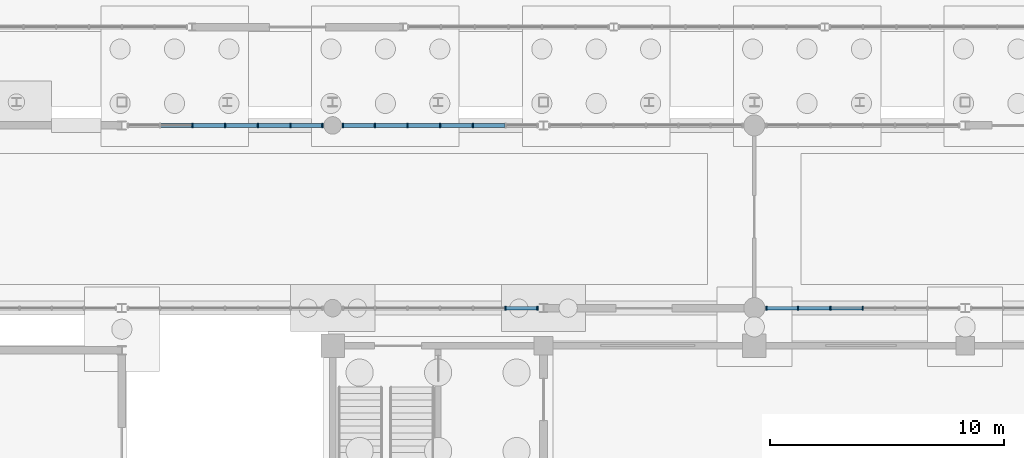
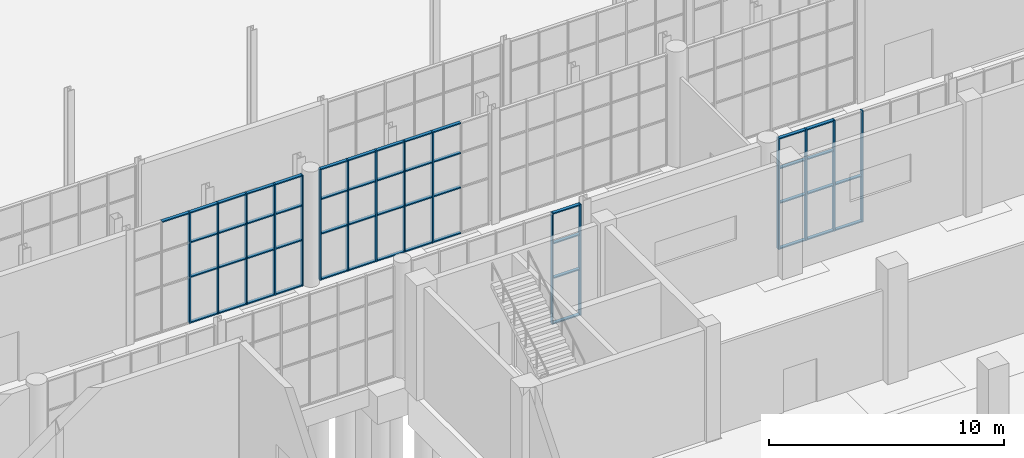
# One storey, part 45 of 131: 67 members, 4 elements without a shape of their own.
"""IFC4 building model written with IfcOpenShell, lengths in metres."""

from ifc_helpers import new_model, si_unit, direction, frame, origin, origin_2d, place, context, subcontext, project, spatial, rectangle, extrude, material, layer, layer_set, material_profile, profile_set, type_object, element, aggregate, save


model = new_model("IFC4")

# Units and contexts
model_context = context("Model", 3, precision=1e-05, world=origin(), true_north=direction((0.0, 1.0)))
body_context = subcontext(model_context, "Body", "Model", "MODEL_VIEW")
ifc_project = project(units=[si_unit("LENGTHUNIT", "METRE"), si_unit("AREAUNIT", "SQUARE_METRE"), si_unit("VOLUMEUNIT", "CUBIC_METRE"), si_unit("PLANEANGLEUNIT", "RADIAN"), si_unit("MASSUNIT", "GRAM", prefix="KILO")], contexts=[model_context])

# Site, building, storey
site_placement = place(None, origin())
site = spatial("IfcSite", under=ifc_project, at=site_placement, CompositionType="ELEMENT")
building_placement = place(site_placement, origin())
building = spatial("IfcBuilding", under=site, at=building_placement, Name="Cazmaro Siding Exhibition Halls", CompositionType="ELEMENT")
storey_placement = place(building_placement, origin())
storey = spatial("IfcBuildingStorey", under=building, at=storey_placement, Name="L00", CompositionType="ELEMENT", Elevation=0.0)

# Curtain wall, members
ifc_material_1 = material(Name="Anodized Bronze Aluminum and Solar-Control Low-E Glazing", Category="aluminium")
ifc_layer = layer(ifc_material_1, 0.179931640625)
ifc_layer_set = layer_set([ifc_layer], Name="Anodized Bronze Aluminum and Solar-Control Low-E Glazing")
curtain_wall_type = type_object("IfcCurtainWallType", Name="CWS-01", PredefinedType="USERDEFINED", material=ifc_layer_set)
curtain_wall_1_placement = place(storey_placement, origin())
curtain_wall_1 = element("IfcCurtainWall", 1, at=curtain_wall_1_placement, inside=storey, type_object=curtain_wall_type, Name="Glazed Curtain Wall CWS-01 CW-156", ObjectType="GLAZED CURTAIN WALL", PredefinedType="USERDEFINED")
ifc_material_2 = material(Name="Anodized Bronze Extruded Aluminum", Category="aluminium")
ifc_material_profile_1 = material_profile(ifc_material_2, rectangle(XDim=0.179931640625, YDim=0.06005859375, at=origin_2d()), Name="CWM-01")
ifc_profile_set_1 = profile_set([ifc_material_profile_1], Name="Anodized Bronze Extruded Aluminum")
member_type_1 = type_object("IfcMemberType", Name="CWM-01", PredefinedType="MULLION", material=ifc_profile_set_1)
member_1_placement = place(storey_placement, frame((71.56201171875, 63.0, 0.0), z_axis=(0.0, 0.0, 1.0), x_axis=(0.0, -1.0, 0.0)))
member_1 = element("IfcMember", 2, at=member_1_placement, type_object=member_type_1, Name="CWS-01 mullion 1", PredefinedType="MULLION", context=body_context, shape_type="SweptSolid", body=[
    extrude(rectangle(XDim=0.179931640625, YDim=0.06005859375, at=origin_2d()), origin(), (0.0, 0.0, 1.0), 5.780029296875),
])
member_2_placement = place(storey_placement, frame((70.1982421875, 63.0, 0.0), z_axis=(0.0, 0.0, 1.0), x_axis=(0.0, -1.0, 0.0)))
member_2 = element("IfcMember", 3, at=member_2_placement, type_object=member_type_1, Name="CWS-01 mullion 2", PredefinedType="MULLION", context=body_context, shape_type="SweptSolid", body=[
    extrude(rectangle(XDim=0.179931640625, YDim=0.06005859375, at=origin_2d()), origin(), (0.0, 0.0, 1.0), 5.780029296875),
])
member_3_placement = place(storey_placement, frame((68.8046875, 63.0, 0.0), z_axis=(0.0, 0.0, 1.0), x_axis=(0.0, -1.0, 0.0)))
member_3 = element("IfcMember", 4, at=member_3_placement, type_object=member_type_1, Name="CWS-01 mullion 3", PredefinedType="MULLION", context=body_context, shape_type="SweptSolid", body=[
    extrude(rectangle(XDim=0.179931640625, YDim=0.06005859375, at=origin_2d()), origin(), (0.0, 0.0, 1.0), 5.780029296875),
])
member_4_placement = place(storey_placement, frame((67.410888671875, 63.0, 0.0), z_axis=(0.0, 0.0, 1.0), x_axis=(0.0, -1.0, 0.0)))
member_4 = element("IfcMember", 5, at=member_4_placement, type_object=member_type_1, Name="CWS-01 mullion 4", PredefinedType="MULLION", context=body_context, shape_type="SweptSolid", body=[
    extrude(rectangle(XDim=0.179931640625, YDim=0.06005859375, at=origin_2d()), origin(), (0.0, 0.0, 1.0), 5.780029296875),
])
member_5_placement = place(storey_placement, frame((66.017333984375, 63.0, 0.0), z_axis=(0.0, 0.0, 1.0), x_axis=(0.0, -1.0, 0.0)))
member_5 = element("IfcMember", 6, at=member_5_placement, type_object=member_type_1, Name="CWS-01 mullion 5", PredefinedType="MULLION", context=body_context, shape_type="SweptSolid", body=[
    extrude(rectangle(XDim=0.179931640625, YDim=0.06005859375, at=origin_2d()), origin(), (0.0, 0.0, 1.0), 5.780029296875),
])

curtain_wall_2_placement = place(storey_placement, origin())
curtain_wall_2 = element("IfcCurtainWall", 7, at=curtain_wall_2_placement, inside=storey, type_object=curtain_wall_type, Name="Glazed Curtain Wall CWS-01 CW-161", ObjectType="GLAZED CURTAIN WALL", PredefinedType="USERDEFINED")
member_6_placement = place(storey_placement, frame((79.376220703125, 55.199951171875, 0.0), z_axis=(0.0, 0.0, 1.0), x_axis=(0.0, 1.0, 0.0)))
member_6 = element("IfcMember", 8, at=member_6_placement, type_object=member_type_1, Name="CWS-01 mullion 6", PredefinedType="MULLION", context=body_context, shape_type="SweptSolid", body=[
    extrude(rectangle(XDim=0.179931640625, YDim=0.06005859375, at=origin_2d()), origin(), (0.0, 0.0, 1.0), 5.780029296875),
])
member_7_placement = place(storey_placement, frame((80.739990234375, 55.199951171875, 0.0), z_axis=(0.0, 0.0, 1.0), x_axis=(0.0, 1.0, 0.0)))
member_7 = element("IfcMember", 9, at=member_7_placement, type_object=member_type_1, Name="CWS-01 mullion 7", PredefinedType="MULLION", context=body_context, shape_type="SweptSolid", body=[
    extrude(rectangle(XDim=0.179931640625, YDim=0.06005859375, at=origin_2d()), origin(), (0.0, 0.0, 1.0), 5.780029296875),
])

curtain_wall_3_placement = place(storey_placement, origin())
curtain_wall_3 = element("IfcCurtainWall", 10, at=curtain_wall_3_placement, inside=storey, type_object=curtain_wall_type, Name="Glazed Curtain Wall CWS-01 CW-162", ObjectType="GLAZED CURTAIN WALL", PredefinedType="USERDEFINED")
member_8_placement = place(storey_placement, frame((77.982666015625, 63.0, 0.0), z_axis=(0.0, 0.0, 1.0), x_axis=(0.0, -1.0, 0.0)))
member_8 = element("IfcMember", 11, at=member_8_placement, type_object=member_type_1, Name="CWS-01 mullion 3", PredefinedType="MULLION", context=body_context, shape_type="SweptSolid", body=[
    extrude(rectangle(XDim=0.179931640625, YDim=0.06005859375, at=origin_2d()), origin(), (0.0, 0.0, 1.0), 5.780029296875),
])
member_9_placement = place(storey_placement, frame((76.589111328125, 63.0, 0.0), z_axis=(0.0, 0.0, 1.0), x_axis=(0.0, -1.0, 0.0)))
member_9 = element("IfcMember", 12, at=member_9_placement, type_object=member_type_1, Name="CWS-01 mullion 4", PredefinedType="MULLION", context=body_context, shape_type="SweptSolid", body=[
    extrude(rectangle(XDim=0.179931640625, YDim=0.06005859375, at=origin_2d()), origin(), (0.0, 0.0, 1.0), 5.780029296875),
])
member_10_placement = place(storey_placement, frame((75.1953125, 63.0, 0.0), z_axis=(0.0, 0.0, 1.0), x_axis=(0.0, -1.0, 0.0)))
member_10 = element("IfcMember", 13, at=member_10_placement, type_object=member_type_1, Name="CWS-01 mullion 5", PredefinedType="MULLION", context=body_context, shape_type="SweptSolid", body=[
    extrude(rectangle(XDim=0.179931640625, YDim=0.06005859375, at=origin_2d()), origin(), (0.0, 0.0, 1.0), 5.780029296875),
])
member_11_placement = place(storey_placement, frame((73.8017578125, 63.0, 0.0), z_axis=(0.0, 0.0, 1.0), x_axis=(0.0, -1.0, 0.0)))
member_11 = element("IfcMember", 14, at=member_11_placement, type_object=member_type_1, Name="CWS-01 mullion 6", PredefinedType="MULLION", context=body_context, shape_type="SweptSolid", body=[
    extrude(rectangle(XDim=0.179931640625, YDim=0.06005859375, at=origin_2d()), origin(), (0.0, 0.0, 1.0), 5.780029296875),
])
member_12_placement = place(storey_placement, frame((72.43798828125, 63.0, 0.0), z_axis=(0.0, 0.0, 1.0), x_axis=(0.0, -1.0, 0.0)))
member_12 = element("IfcMember", 15, at=member_12_placement, type_object=member_type_1, Name="CWS-01 mullion 7", PredefinedType="MULLION", context=body_context, shape_type="SweptSolid", body=[
    extrude(rectangle(XDim=0.179931640625, YDim=0.06005859375, at=origin_2d()), origin(), (0.0, 0.0, 1.0), 5.780029296875),
])

curtain_wall_4_placement = place(storey_placement, origin())
curtain_wall_4 = element("IfcCurtainWall", 16, at=curtain_wall_4_placement, inside=storey, type_object=curtain_wall_type, Name="Glazed Curtain Wall CWS-01 CW-170", ObjectType="GLAZED CURTAIN WALL", PredefinedType="USERDEFINED")
member_13_placement = place(storey_placement, frame((90.512939453125, 55.199951171875, 0.0), z_axis=(0.0, 0.0, 1.0), x_axis=(0.0, 1.0, 0.0)))
member_13 = element("IfcMember", 17, at=member_13_placement, type_object=member_type_1, Name="CWS-01 mullion 1", PredefinedType="MULLION", context=body_context, shape_type="SweptSolid", body=[
    extrude(rectangle(XDim=0.179931640625, YDim=0.06005859375, at=origin_2d()), origin(), (0.0, 0.0, 1.0), 5.780029296875),
])
member_14_placement = place(storey_placement, frame((91.8642578125, 55.199951171875, 0.0), z_axis=(0.0, 0.0, 1.0), x_axis=(0.0, 1.0, 0.0)))
member_14 = element("IfcMember", 18, at=member_14_placement, type_object=member_type_1, Name="CWS-01 mullion 2", PredefinedType="MULLION", context=body_context, shape_type="SweptSolid", body=[
    extrude(rectangle(XDim=0.179931640625, YDim=0.06005859375, at=origin_2d()), origin(), (0.0, 0.0, 1.0), 5.780029296875),
])
member_15_placement = place(storey_placement, frame((93.245361328125, 55.199951171875, 0.0), z_axis=(0.0, 0.0, 1.0), x_axis=(0.0, 1.0, 0.0)))
member_15 = element("IfcMember", 19, at=member_15_placement, type_object=member_type_1, Name="CWS-01 mullion 3", PredefinedType="MULLION", context=body_context, shape_type="SweptSolid", body=[
    extrude(rectangle(XDim=0.179931640625, YDim=0.06005859375, at=origin_2d()), origin(), (0.0, 0.0, 1.0), 5.780029296875),
])
member_16_placement = place(storey_placement, frame((94.62646484375, 55.199951171875, 0.0), z_axis=(0.0, 0.0, 1.0), x_axis=(0.0, 1.0, 0.0)))
member_16 = element("IfcMember", 20, at=member_16_placement, type_object=member_type_1, Name="CWS-01 mullion 4", PredefinedType="MULLION", context=body_context, shape_type="SweptSolid", body=[
    extrude(rectangle(XDim=0.179931640625, YDim=0.06005859375, at=origin_2d()), origin(), (0.0, 0.0, 1.0), 5.780029296875),
])

# Member
ifc_material_3 = material(Name="Anodized Bronze Extruded Aluminum", Category="aluminium")
ifc_material_profile_2 = material_profile(ifc_material_3, rectangle(XDim=0.159912109375, YDim=0.06005859375, at=origin_2d()), Name="CWT-01")
ifc_profile_set_2 = profile_set([ifc_material_profile_2], Name="Anodized Bronze Extruded Aluminum")
member_type_2 = type_object("IfcMemberType", Name="CWT-01", PredefinedType="MULLION", material=ifc_profile_set_2)
member_17_placement = place(storey_placement, frame((71.531982421875, 63.0, 0.030029296875), z_axis=(-1.0, 0.0, 0.0), x_axis=(0.0, -1.0, 0.0)))
member_17 = element("IfcMember", 21, at=member_17_placement, type_object=member_type_2, Name="CWS-01 transom 1.1", ObjectType="TRANSOM", PredefinedType="USERDEFINED", context=body_context, shape_type="SweptSolid", body=[
    extrude(rectangle(XDim=0.159912109375, YDim=0.06005859375, at=origin_2d()), origin(), (0.0, 0.0, 1.0), 1.3037109375),
])

member_18_placement = place(storey_placement, frame((71.531982421875, 63.0, 2.39990234375), z_axis=(-1.0, 0.0, 0.0), x_axis=(0.0, -1.0, 0.0)))
member_18 = element("IfcMember", 22, at=member_18_placement, type_object=member_type_2, Name="CWS-01 transom 1.2", ObjectType="TRANSOM", PredefinedType="USERDEFINED", context=body_context, shape_type="SweptSolid", body=[
    extrude(rectangle(XDim=0.159912109375, YDim=0.06005859375, at=origin_2d()), origin(), (0.0, 0.0, 1.0), 1.3037109375),
])

member_19_placement = place(storey_placement, frame((71.531982421875, 63.0, 4.199951171875), z_axis=(-1.0, 0.0, 0.0), x_axis=(0.0, -1.0, 0.0)))
member_19 = element("IfcMember", 23, at=member_19_placement, type_object=member_type_2, Name="CWS-01 transom 1.3", ObjectType="TRANSOM", PredefinedType="USERDEFINED", context=body_context, shape_type="SweptSolid", body=[
    extrude(rectangle(XDim=0.159912109375, YDim=0.06005859375, at=origin_2d()), origin(), (0.0, 0.0, 1.0), 1.3037109375),
])

member_20_placement = place(storey_placement, frame((71.531982421875, 63.0, 5.75), z_axis=(-1.0, 0.0, 0.0), x_axis=(0.0, -1.0, 0.0)))
member_20 = element("IfcMember", 24, at=member_20_placement, type_object=member_type_2, Name="CWS-01 transom 1.4", ObjectType="TRANSOM", PredefinedType="USERDEFINED", context=body_context, shape_type="SweptSolid", body=[
    extrude(rectangle(XDim=0.159912109375, YDim=0.06005859375, at=origin_2d()), origin(), (0.0, 0.0, 1.0), 1.3037109375),
])

member_21_placement = place(storey_placement, frame((70.168212890625, 63.0, 0.030029296875), z_axis=(-1.0, 0.0, 0.0), x_axis=(0.0, -1.0, 0.0)))
member_21 = element("IfcMember", 25, at=member_21_placement, type_object=member_type_2, Name="CWS-01 transom 2.1", ObjectType="TRANSOM", PredefinedType="USERDEFINED", context=body_context, shape_type="SweptSolid", body=[
    extrude(rectangle(XDim=0.159912109375, YDim=0.06005859375, at=origin_2d()), origin(), (0.0, 0.0, 1.0), 1.33349609375),
])

member_22_placement = place(storey_placement, frame((70.168212890625, 63.0, 2.39990234375), z_axis=(-1.0, 0.0, 0.0), x_axis=(0.0, -1.0, 0.0)))
member_22 = element("IfcMember", 26, at=member_22_placement, type_object=member_type_2, Name="CWS-01 transom 2.2", ObjectType="TRANSOM", PredefinedType="USERDEFINED", context=body_context, shape_type="SweptSolid", body=[
    extrude(rectangle(XDim=0.159912109375, YDim=0.06005859375, at=origin_2d()), origin(), (0.0, 0.0, 1.0), 1.33349609375),
])

member_23_placement = place(storey_placement, frame((70.168212890625, 63.0, 4.199951171875), z_axis=(-1.0, 0.0, 0.0), x_axis=(0.0, -1.0, 0.0)))
member_23 = element("IfcMember", 27, at=member_23_placement, type_object=member_type_2, Name="CWS-01 transom 2.3", ObjectType="TRANSOM", PredefinedType="USERDEFINED", context=body_context, shape_type="SweptSolid", body=[
    extrude(rectangle(XDim=0.159912109375, YDim=0.06005859375, at=origin_2d()), origin(), (0.0, 0.0, 1.0), 1.33349609375),
])

member_24_placement = place(storey_placement, frame((70.168212890625, 63.0, 5.75), z_axis=(-1.0, 0.0, 0.0), x_axis=(0.0, -1.0, 0.0)))
member_24 = element("IfcMember", 28, at=member_24_placement, type_object=member_type_2, Name="CWS-01 transom 2.4", ObjectType="TRANSOM", PredefinedType="USERDEFINED", context=body_context, shape_type="SweptSolid", body=[
    extrude(rectangle(XDim=0.159912109375, YDim=0.06005859375, at=origin_2d()), origin(), (0.0, 0.0, 1.0), 1.33349609375),
])

member_25_placement = place(storey_placement, frame((68.774658203125, 63.0, 0.030029296875), z_axis=(-1.0, 0.0, 0.0), x_axis=(0.0, -1.0, 0.0)))
member_25 = element("IfcMember", 29, at=member_25_placement, type_object=member_type_2, Name="CWS-01 transom 3.1", ObjectType="TRANSOM", PredefinedType="USERDEFINED", context=body_context, shape_type="SweptSolid", body=[
    extrude(rectangle(XDim=0.159912109375, YDim=0.06005859375, at=origin_2d()), origin(), (0.0, 0.0, 1.0), 1.333740234375),
])

member_26_placement = place(storey_placement, frame((68.774658203125, 63.0, 2.39990234375), z_axis=(-1.0, 0.0, 0.0), x_axis=(0.0, -1.0, 0.0)))
member_26 = element("IfcMember", 30, at=member_26_placement, type_object=member_type_2, Name="CWS-01 transom 3.2", ObjectType="TRANSOM", PredefinedType="USERDEFINED", context=body_context, shape_type="SweptSolid", body=[
    extrude(rectangle(XDim=0.159912109375, YDim=0.06005859375, at=origin_2d()), origin(), (0.0, 0.0, 1.0), 1.333740234375),
])

member_27_placement = place(storey_placement, frame((68.774658203125, 63.0, 4.199951171875), z_axis=(-1.0, 0.0, 0.0), x_axis=(0.0, -1.0, 0.0)))
member_27 = element("IfcMember", 31, at=member_27_placement, type_object=member_type_2, Name="CWS-01 transom 3.3", ObjectType="TRANSOM", PredefinedType="USERDEFINED", context=body_context, shape_type="SweptSolid", body=[
    extrude(rectangle(XDim=0.159912109375, YDim=0.06005859375, at=origin_2d()), origin(), (0.0, 0.0, 1.0), 1.333740234375),
])

member_28_placement = place(storey_placement, frame((68.774658203125, 63.0, 5.75), z_axis=(-1.0, 0.0, 0.0), x_axis=(0.0, -1.0, 0.0)))
member_28 = element("IfcMember", 32, at=member_28_placement, type_object=member_type_2, Name="CWS-01 transom 3.4", ObjectType="TRANSOM", PredefinedType="USERDEFINED", context=body_context, shape_type="SweptSolid", body=[
    extrude(rectangle(XDim=0.159912109375, YDim=0.06005859375, at=origin_2d()), origin(), (0.0, 0.0, 1.0), 1.333740234375),
])

member_29_placement = place(storey_placement, frame((67.381103515625, 63.0, 0.030029296875), z_axis=(-1.0, 0.0, 0.0), x_axis=(0.0, -1.0, 0.0)))
member_29 = element("IfcMember", 33, at=member_29_placement, type_object=member_type_2, Name="CWS-01 transom 4.1", ObjectType="TRANSOM", PredefinedType="USERDEFINED", context=body_context, shape_type="SweptSolid", body=[
    extrude(rectangle(XDim=0.159912109375, YDim=0.06005859375, at=origin_2d()), origin(), (0.0, 0.0, 1.0), 1.333740234375),
])

member_30_placement = place(storey_placement, frame((67.381103515625, 63.0, 2.39990234375), z_axis=(-1.0, 0.0, 0.0), x_axis=(0.0, -1.0, 0.0)))
member_30 = element("IfcMember", 34, at=member_30_placement, type_object=member_type_2, Name="CWS-01 transom 4.2", ObjectType="TRANSOM", PredefinedType="USERDEFINED", context=body_context, shape_type="SweptSolid", body=[
    extrude(rectangle(XDim=0.159912109375, YDim=0.06005859375, at=origin_2d()), origin(), (0.0, 0.0, 1.0), 1.333740234375),
])

member_31_placement = place(storey_placement, frame((67.381103515625, 63.0, 4.199951171875), z_axis=(-1.0, 0.0, 0.0), x_axis=(0.0, -1.0, 0.0)))
member_31 = element("IfcMember", 35, at=member_31_placement, type_object=member_type_2, Name="CWS-01 transom 4.3", ObjectType="TRANSOM", PredefinedType="USERDEFINED", context=body_context, shape_type="SweptSolid", body=[
    extrude(rectangle(XDim=0.159912109375, YDim=0.06005859375, at=origin_2d()), origin(), (0.0, 0.0, 1.0), 1.333740234375),
])

member_32_placement = place(storey_placement, frame((67.381103515625, 63.0, 5.75), z_axis=(-1.0, 0.0, 0.0), x_axis=(0.0, -1.0, 0.0)))
member_32 = element("IfcMember", 36, at=member_32_placement, type_object=member_type_2, Name="CWS-01 transom 4.4", ObjectType="TRANSOM", PredefinedType="USERDEFINED", context=body_context, shape_type="SweptSolid", body=[
    extrude(rectangle(XDim=0.159912109375, YDim=0.06005859375, at=origin_2d()), origin(), (0.0, 0.0, 1.0), 1.333740234375),
])

member_33_placement = place(storey_placement, frame((65.9873046875, 63.0, 5.75), z_axis=(-1.0, 0.0, 0.0), x_axis=(0.0, -1.0, 0.0)))
member_33 = element("IfcMember", 37, at=member_33_placement, type_object=member_type_2, Name="CWS-01 transom 5.4", ObjectType="TRANSOM", PredefinedType="USERDEFINED", context=body_context, shape_type="SweptSolid", body=[
    extrude(rectangle(XDim=0.159912109375, YDim=0.06005859375, at=origin_2d()), origin(), (0.0, 0.0, 1.0), 1.333740234375),
])

aggregate(curtain_wall_1, [member_1, member_2, member_3, member_4, member_5, member_17, member_18, member_19, member_20, member_21, member_22, member_23, member_24, member_25, member_26, member_27, member_28, member_29, member_30, member_31, member_32, member_33])

member_34_placement = place(storey_placement, frame((79.40625, 55.199951171875, 0.030029296875), z_axis=(1.0, 0.0, 0.0), x_axis=(0.0, 1.0, 0.0)))
member_34 = element("IfcMember", 38, at=member_34_placement, type_object=member_type_2, Name="CWS-01 transom 6.1", ObjectType="TRANSOM", PredefinedType="USERDEFINED", context=body_context, shape_type="SweptSolid", body=[
    extrude(rectangle(XDim=0.159912109375, YDim=0.06005859375, at=origin_2d()), origin(), (0.0, 0.0, 1.0), 1.3037109375),
])

member_35_placement = place(storey_placement, frame((79.40625, 55.199951171875, 2.39990234375), z_axis=(1.0, 0.0, 0.0), x_axis=(0.0, 1.0, 0.0)))
member_35 = element("IfcMember", 39, at=member_35_placement, type_object=member_type_2, Name="CWS-01 transom 6.2", ObjectType="TRANSOM", PredefinedType="USERDEFINED", context=body_context, shape_type="SweptSolid", body=[
    extrude(rectangle(XDim=0.159912109375, YDim=0.06005859375, at=origin_2d()), origin(), (0.0, 0.0, 1.0), 1.3037109375),
])

member_36_placement = place(storey_placement, frame((79.40625, 55.199951171875, 4.199951171875), z_axis=(1.0, 0.0, 0.0), x_axis=(0.0, 1.0, 0.0)))
member_36 = element("IfcMember", 40, at=member_36_placement, type_object=member_type_2, Name="CWS-01 transom 6.3", ObjectType="TRANSOM", PredefinedType="USERDEFINED", context=body_context, shape_type="SweptSolid", body=[
    extrude(rectangle(XDim=0.159912109375, YDim=0.06005859375, at=origin_2d()), origin(), (0.0, 0.0, 1.0), 1.3037109375),
])

member_37_placement = place(storey_placement, frame((79.40625, 55.199951171875, 5.75), z_axis=(1.0, 0.0, 0.0), x_axis=(0.0, 1.0, 0.0)))
member_37 = element("IfcMember", 41, at=member_37_placement, type_object=member_type_2, Name="CWS-01 transom 6.4", ObjectType="TRANSOM", PredefinedType="USERDEFINED", context=body_context, shape_type="SweptSolid", body=[
    extrude(rectangle(XDim=0.159912109375, YDim=0.06005859375, at=origin_2d()), origin(), (0.0, 0.0, 1.0), 1.3037109375),
])

aggregate(curtain_wall_2, [member_6, member_7, member_34, member_35, member_36, member_37])

member_38_placement = place(storey_placement, frame((79.346435546875, 63.0, 0.030029296875), z_axis=(-1.0, 0.0, 0.0), x_axis=(0.0, -1.0, 0.0)))
member_38 = element("IfcMember", 42, at=member_38_placement, type_object=member_type_2, Name="CWS-01 transom 2.1", ObjectType="TRANSOM", PredefinedType="USERDEFINED", context=body_context, shape_type="SweptSolid", body=[
    extrude(rectangle(XDim=0.159912109375, YDim=0.06005859375, at=origin_2d()), origin(), (0.0, 0.0, 1.0), 1.333740234375),
])

member_39_placement = place(storey_placement, frame((79.346435546875, 63.0, 2.39990234375), z_axis=(-1.0, 0.0, 0.0), x_axis=(0.0, -1.0, 0.0)))
member_39 = element("IfcMember", 43, at=member_39_placement, type_object=member_type_2, Name="CWS-01 transom 2.2", ObjectType="TRANSOM", PredefinedType="USERDEFINED", context=body_context, shape_type="SweptSolid", body=[
    extrude(rectangle(XDim=0.159912109375, YDim=0.06005859375, at=origin_2d()), origin(), (0.0, 0.0, 1.0), 1.333740234375),
])

member_40_placement = place(storey_placement, frame((79.346435546875, 63.0, 4.199951171875), z_axis=(-1.0, 0.0, 0.0), x_axis=(0.0, -1.0, 0.0)))
member_40 = element("IfcMember", 44, at=member_40_placement, type_object=member_type_2, Name="CWS-01 transom 2.3", ObjectType="TRANSOM", PredefinedType="USERDEFINED", context=body_context, shape_type="SweptSolid", body=[
    extrude(rectangle(XDim=0.159912109375, YDim=0.06005859375, at=origin_2d()), origin(), (0.0, 0.0, 1.0), 1.333740234375),
])

member_41_placement = place(storey_placement, frame((79.346435546875, 63.0, 5.75), z_axis=(-1.0, 0.0, 0.0), x_axis=(0.0, -1.0, 0.0)))
member_41 = element("IfcMember", 45, at=member_41_placement, type_object=member_type_2, Name="CWS-01 transom 2.4", ObjectType="TRANSOM", PredefinedType="USERDEFINED", context=body_context, shape_type="SweptSolid", body=[
    extrude(rectangle(XDim=0.159912109375, YDim=0.06005859375, at=origin_2d()), origin(), (0.0, 0.0, 1.0), 1.333740234375),
])

member_42_placement = place(storey_placement, frame((77.95263671875, 63.0, 0.030029296875), z_axis=(-1.0, 0.0, 0.0), x_axis=(0.0, -1.0, 0.0)))
member_42 = element("IfcMember", 46, at=member_42_placement, type_object=member_type_2, Name="CWS-01 transom 3.1", ObjectType="TRANSOM", PredefinedType="USERDEFINED", context=body_context, shape_type="SweptSolid", body=[
    extrude(rectangle(XDim=0.159912109375, YDim=0.06005859375, at=origin_2d()), origin(), (0.0, 0.0, 1.0), 1.333740234375),
])

member_43_placement = place(storey_placement, frame((77.95263671875, 63.0, 2.39990234375), z_axis=(-1.0, 0.0, 0.0), x_axis=(0.0, -1.0, 0.0)))
member_43 = element("IfcMember", 47, at=member_43_placement, type_object=member_type_2, Name="CWS-01 transom 3.2", ObjectType="TRANSOM", PredefinedType="USERDEFINED", context=body_context, shape_type="SweptSolid", body=[
    extrude(rectangle(XDim=0.159912109375, YDim=0.06005859375, at=origin_2d()), origin(), (0.0, 0.0, 1.0), 1.333740234375),
])

member_44_placement = place(storey_placement, frame((77.95263671875, 63.0, 4.199951171875), z_axis=(-1.0, 0.0, 0.0), x_axis=(0.0, -1.0, 0.0)))
member_44 = element("IfcMember", 48, at=member_44_placement, type_object=member_type_2, Name="CWS-01 transom 3.3", ObjectType="TRANSOM", PredefinedType="USERDEFINED", context=body_context, shape_type="SweptSolid", body=[
    extrude(rectangle(XDim=0.159912109375, YDim=0.06005859375, at=origin_2d()), origin(), (0.0, 0.0, 1.0), 1.333740234375),
])

member_45_placement = place(storey_placement, frame((77.95263671875, 63.0, 5.75), z_axis=(-1.0, 0.0, 0.0), x_axis=(0.0, -1.0, 0.0)))
member_45 = element("IfcMember", 49, at=member_45_placement, type_object=member_type_2, Name="CWS-01 transom 3.4", ObjectType="TRANSOM", PredefinedType="USERDEFINED", context=body_context, shape_type="SweptSolid", body=[
    extrude(rectangle(XDim=0.159912109375, YDim=0.06005859375, at=origin_2d()), origin(), (0.0, 0.0, 1.0), 1.333740234375),
])

member_46_placement = place(storey_placement, frame((76.55908203125, 63.0, 0.030029296875), z_axis=(-1.0, 0.0, 0.0), x_axis=(0.0, -1.0, 0.0)))
member_46 = element("IfcMember", 50, at=member_46_placement, type_object=member_type_2, Name="CWS-01 transom 4.1", ObjectType="TRANSOM", PredefinedType="USERDEFINED", context=body_context, shape_type="SweptSolid", body=[
    extrude(rectangle(XDim=0.159912109375, YDim=0.06005859375, at=origin_2d()), origin(), (0.0, 0.0, 1.0), 1.333740234375),
])

member_47_placement = place(storey_placement, frame((76.55908203125, 63.0, 2.39990234375), z_axis=(-1.0, 0.0, 0.0), x_axis=(0.0, -1.0, 0.0)))
member_47 = element("IfcMember", 51, at=member_47_placement, type_object=member_type_2, Name="CWS-01 transom 4.2", ObjectType="TRANSOM", PredefinedType="USERDEFINED", context=body_context, shape_type="SweptSolid", body=[
    extrude(rectangle(XDim=0.159912109375, YDim=0.06005859375, at=origin_2d()), origin(), (0.0, 0.0, 1.0), 1.333740234375),
])

member_48_placement = place(storey_placement, frame((76.55908203125, 63.0, 4.199951171875), z_axis=(-1.0, 0.0, 0.0), x_axis=(0.0, -1.0, 0.0)))
member_48 = element("IfcMember", 52, at=member_48_placement, type_object=member_type_2, Name="CWS-01 transom 4.3", ObjectType="TRANSOM", PredefinedType="USERDEFINED", context=body_context, shape_type="SweptSolid", body=[
    extrude(rectangle(XDim=0.159912109375, YDim=0.06005859375, at=origin_2d()), origin(), (0.0, 0.0, 1.0), 1.333740234375),
])

member_49_placement = place(storey_placement, frame((76.55908203125, 63.0, 5.75), z_axis=(-1.0, 0.0, 0.0), x_axis=(0.0, -1.0, 0.0)))
member_49 = element("IfcMember", 53, at=member_49_placement, type_object=member_type_2, Name="CWS-01 transom 4.4", ObjectType="TRANSOM", PredefinedType="USERDEFINED", context=body_context, shape_type="SweptSolid", body=[
    extrude(rectangle(XDim=0.159912109375, YDim=0.06005859375, at=origin_2d()), origin(), (0.0, 0.0, 1.0), 1.333740234375),
])

member_50_placement = place(storey_placement, frame((75.165283203125, 63.0, 0.030029296875), z_axis=(-1.0, 0.0, 0.0), x_axis=(0.0, -1.0, 0.0)))
member_50 = element("IfcMember", 54, at=member_50_placement, type_object=member_type_2, Name="CWS-01 transom 5.1", ObjectType="TRANSOM", PredefinedType="USERDEFINED", context=body_context, shape_type="SweptSolid", body=[
    extrude(rectangle(XDim=0.159912109375, YDim=0.06005859375, at=origin_2d()), origin(), (0.0, 0.0, 1.0), 1.33349609375),
])

member_51_placement = place(storey_placement, frame((75.165283203125, 63.0, 2.39990234375), z_axis=(-1.0, 0.0, 0.0), x_axis=(0.0, -1.0, 0.0)))
member_51 = element("IfcMember", 55, at=member_51_placement, type_object=member_type_2, Name="CWS-01 transom 5.2", ObjectType="TRANSOM", PredefinedType="USERDEFINED", context=body_context, shape_type="SweptSolid", body=[
    extrude(rectangle(XDim=0.159912109375, YDim=0.06005859375, at=origin_2d()), origin(), (0.0, 0.0, 1.0), 1.33349609375),
])

member_52_placement = place(storey_placement, frame((75.165283203125, 63.0, 4.199951171875), z_axis=(-1.0, 0.0, 0.0), x_axis=(0.0, -1.0, 0.0)))
member_52 = element("IfcMember", 56, at=member_52_placement, type_object=member_type_2, Name="CWS-01 transom 5.3", ObjectType="TRANSOM", PredefinedType="USERDEFINED", context=body_context, shape_type="SweptSolid", body=[
    extrude(rectangle(XDim=0.159912109375, YDim=0.06005859375, at=origin_2d()), origin(), (0.0, 0.0, 1.0), 1.33349609375),
])

member_53_placement = place(storey_placement, frame((75.165283203125, 63.0, 5.75), z_axis=(-1.0, 0.0, 0.0), x_axis=(0.0, -1.0, 0.0)))
member_53 = element("IfcMember", 57, at=member_53_placement, type_object=member_type_2, Name="CWS-01 transom 5.4", ObjectType="TRANSOM", PredefinedType="USERDEFINED", context=body_context, shape_type="SweptSolid", body=[
    extrude(rectangle(XDim=0.159912109375, YDim=0.06005859375, at=origin_2d()), origin(), (0.0, 0.0, 1.0), 1.33349609375),
])

member_54_placement = place(storey_placement, frame((73.771728515625, 63.0, 0.030029296875), z_axis=(-1.0, 0.0, 0.0), x_axis=(0.0, -1.0, 0.0)))
member_54 = element("IfcMember", 58, at=member_54_placement, type_object=member_type_2, Name="CWS-01 transom 6.1", ObjectType="TRANSOM", PredefinedType="USERDEFINED", context=body_context, shape_type="SweptSolid", body=[
    extrude(rectangle(XDim=0.159912109375, YDim=0.06005859375, at=origin_2d()), origin(), (0.0, 0.0, 1.0), 1.3037109375),
])

member_55_placement = place(storey_placement, frame((73.771728515625, 63.0, 2.39990234375), z_axis=(-1.0, 0.0, 0.0), x_axis=(0.0, -1.0, 0.0)))
member_55 = element("IfcMember", 59, at=member_55_placement, type_object=member_type_2, Name="CWS-01 transom 6.2", ObjectType="TRANSOM", PredefinedType="USERDEFINED", context=body_context, shape_type="SweptSolid", body=[
    extrude(rectangle(XDim=0.159912109375, YDim=0.06005859375, at=origin_2d()), origin(), (0.0, 0.0, 1.0), 1.3037109375),
])

member_56_placement = place(storey_placement, frame((73.771728515625, 63.0, 4.199951171875), z_axis=(-1.0, 0.0, 0.0), x_axis=(0.0, -1.0, 0.0)))
member_56 = element("IfcMember", 60, at=member_56_placement, type_object=member_type_2, Name="CWS-01 transom 6.3", ObjectType="TRANSOM", PredefinedType="USERDEFINED", context=body_context, shape_type="SweptSolid", body=[
    extrude(rectangle(XDim=0.159912109375, YDim=0.06005859375, at=origin_2d()), origin(), (0.0, 0.0, 1.0), 1.3037109375),
])

member_57_placement = place(storey_placement, frame((73.771728515625, 63.0, 5.75), z_axis=(-1.0, 0.0, 0.0), x_axis=(0.0, -1.0, 0.0)))
member_57 = element("IfcMember", 61, at=member_57_placement, type_object=member_type_2, Name="CWS-01 transom 6.4", ObjectType="TRANSOM", PredefinedType="USERDEFINED", context=body_context, shape_type="SweptSolid", body=[
    extrude(rectangle(XDim=0.159912109375, YDim=0.06005859375, at=origin_2d()), origin(), (0.0, 0.0, 1.0), 1.3037109375),
])

aggregate(curtain_wall_3, [member_8, member_9, member_10, member_11, member_12, member_38, member_39, member_40, member_41, member_42, member_43, member_44, member_45, member_46, member_47, member_48, member_49, member_50, member_51, member_52, member_53, member_54, member_55, member_56, member_57])

member_58_placement = place(storey_placement, frame((90.54296875, 55.199951171875, 0.030029296875), z_axis=(1.0, 0.0, 0.0), x_axis=(0.0, 1.0, 0.0)))
member_58 = element("IfcMember", 62, at=member_58_placement, type_object=member_type_2, Name="CWS-01 transom 1.1", ObjectType="TRANSOM", PredefinedType="USERDEFINED", context=body_context, shape_type="SweptSolid", body=[
    extrude(rectangle(XDim=0.159912109375, YDim=0.06005859375, at=origin_2d()), origin(), (0.0, 0.0, 1.0), 1.291259765625),
])

member_59_placement = place(storey_placement, frame((90.54296875, 55.199951171875, 2.39990234375), z_axis=(1.0, 0.0, 0.0), x_axis=(0.0, 1.0, 0.0)))
member_59 = element("IfcMember", 63, at=member_59_placement, type_object=member_type_2, Name="CWS-01 transom 1.2", ObjectType="TRANSOM", PredefinedType="USERDEFINED", context=body_context, shape_type="SweptSolid", body=[
    extrude(rectangle(XDim=0.159912109375, YDim=0.06005859375, at=origin_2d()), origin(), (0.0, 0.0, 1.0), 1.291259765625),
])

member_60_placement = place(storey_placement, frame((90.54296875, 55.199951171875, 4.199951171875), z_axis=(1.0, 0.0, 0.0), x_axis=(0.0, 1.0, 0.0)))
member_60 = element("IfcMember", 64, at=member_60_placement, type_object=member_type_2, Name="CWS-01 transom 1.3", ObjectType="TRANSOM", PredefinedType="USERDEFINED", context=body_context, shape_type="SweptSolid", body=[
    extrude(rectangle(XDim=0.159912109375, YDim=0.06005859375, at=origin_2d()), origin(), (0.0, 0.0, 1.0), 1.291259765625),
])

member_61_placement = place(storey_placement, frame((90.54296875, 55.199951171875, 5.75), z_axis=(1.0, 0.0, 0.0), x_axis=(0.0, 1.0, 0.0)))
member_61 = element("IfcMember", 65, at=member_61_placement, type_object=member_type_2, Name="CWS-01 transom 1.4", ObjectType="TRANSOM", PredefinedType="USERDEFINED", context=body_context, shape_type="SweptSolid", body=[
    extrude(rectangle(XDim=0.159912109375, YDim=0.06005859375, at=origin_2d()), origin(), (0.0, 0.0, 1.0), 1.291259765625),
])

member_62_placement = place(storey_placement, frame((91.894287109375, 55.199951171875, 0.030029296875), z_axis=(1.0, 0.0, 0.0), x_axis=(0.0, 1.0, 0.0)))
member_62 = element("IfcMember", 66, at=member_62_placement, type_object=member_type_2, Name="CWS-01 transom 2.1", ObjectType="TRANSOM", PredefinedType="USERDEFINED", context=body_context, shape_type="SweptSolid", body=[
    extrude(rectangle(XDim=0.159912109375, YDim=0.06005859375, at=origin_2d()), origin(), (0.0, 0.0, 1.0), 1.321044921875),
])

member_63_placement = place(storey_placement, frame((91.894287109375, 55.199951171875, 2.39990234375), z_axis=(1.0, 0.0, 0.0), x_axis=(0.0, 1.0, 0.0)))
member_63 = element("IfcMember", 67, at=member_63_placement, type_object=member_type_2, Name="CWS-01 transom 2.2", ObjectType="TRANSOM", PredefinedType="USERDEFINED", context=body_context, shape_type="SweptSolid", body=[
    extrude(rectangle(XDim=0.159912109375, YDim=0.06005859375, at=origin_2d()), origin(), (0.0, 0.0, 1.0), 1.321044921875),
])

member_64_placement = place(storey_placement, frame((91.894287109375, 55.199951171875, 4.199951171875), z_axis=(1.0, 0.0, 0.0), x_axis=(0.0, 1.0, 0.0)))
member_64 = element("IfcMember", 68, at=member_64_placement, type_object=member_type_2, Name="CWS-01 transom 2.3", ObjectType="TRANSOM", PredefinedType="USERDEFINED", context=body_context, shape_type="SweptSolid", body=[
    extrude(rectangle(XDim=0.159912109375, YDim=0.06005859375, at=origin_2d()), origin(), (0.0, 0.0, 1.0), 1.321044921875),
])

member_65_placement = place(storey_placement, frame((91.894287109375, 55.199951171875, 5.75), z_axis=(1.0, 0.0, 0.0), x_axis=(0.0, 1.0, 0.0)))
member_65 = element("IfcMember", 69, at=member_65_placement, type_object=member_type_2, Name="CWS-01 transom 2.4", ObjectType="TRANSOM", PredefinedType="USERDEFINED", context=body_context, shape_type="SweptSolid", body=[
    extrude(rectangle(XDim=0.159912109375, YDim=0.06005859375, at=origin_2d()), origin(), (0.0, 0.0, 1.0), 1.321044921875),
])

member_66_placement = place(storey_placement, frame((93.275390625, 55.199951171875, 0.030029296875), z_axis=(1.0, 0.0, 0.0), x_axis=(0.0, 1.0, 0.0)))
member_66 = element("IfcMember", 70, at=member_66_placement, type_object=member_type_2, Name="CWS-01 transom 3.1", ObjectType="TRANSOM", PredefinedType="USERDEFINED", context=body_context, shape_type="SweptSolid", body=[
    extrude(rectangle(XDim=0.159912109375, YDim=0.06005859375, at=origin_2d()), origin(), (0.0, 0.0, 1.0), 1.321044921875),
])

member_67_placement = place(storey_placement, frame((93.275390625, 55.199951171875, 2.39990234375), z_axis=(1.0, 0.0, 0.0), x_axis=(0.0, 1.0, 0.0)))
member_67 = element("IfcMember", 71, at=member_67_placement, type_object=member_type_2, Name="CWS-01 transom 3.2", ObjectType="TRANSOM", PredefinedType="USERDEFINED", context=body_context, shape_type="SweptSolid", body=[
    extrude(rectangle(XDim=0.159912109375, YDim=0.06005859375, at=origin_2d()), origin(), (0.0, 0.0, 1.0), 1.321044921875),
])

aggregate(curtain_wall_4, [member_13, member_14, member_15, member_16, member_58, member_59, member_60, member_61, member_62, member_63, member_64, member_65, member_66, member_67])

save(model, "model.ifc")
